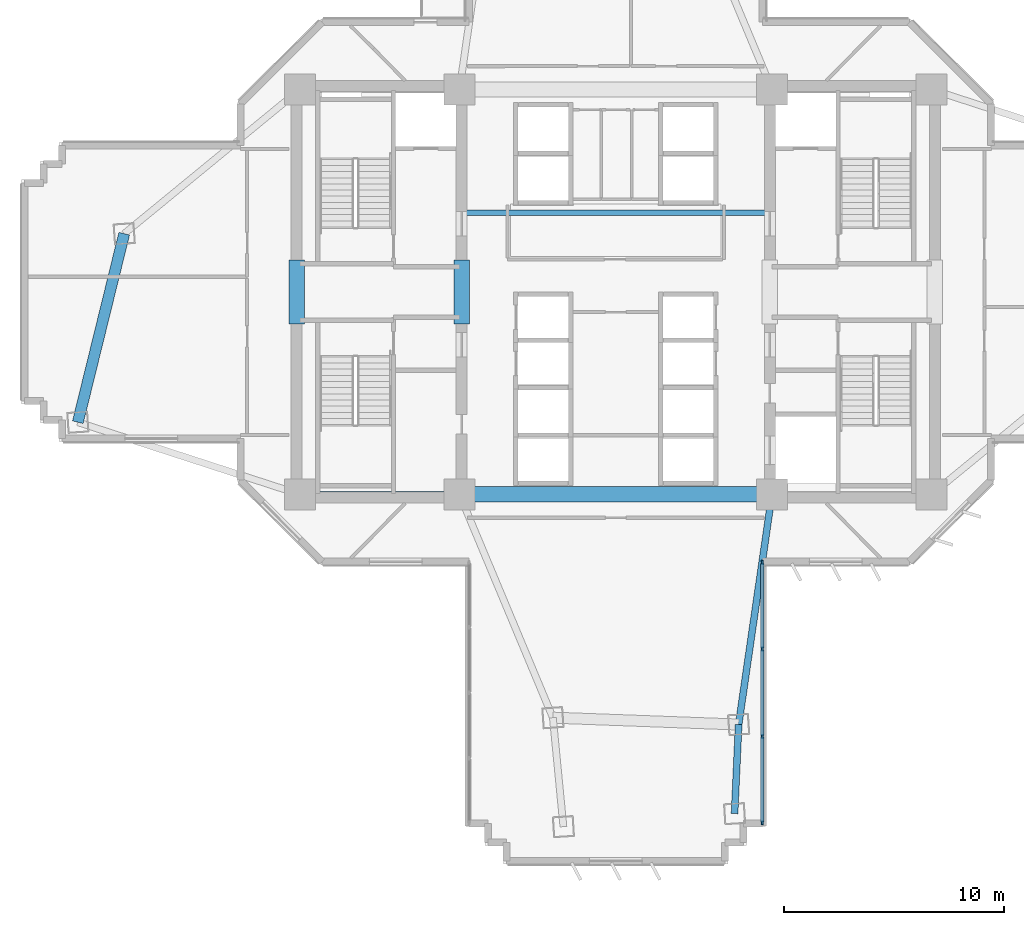
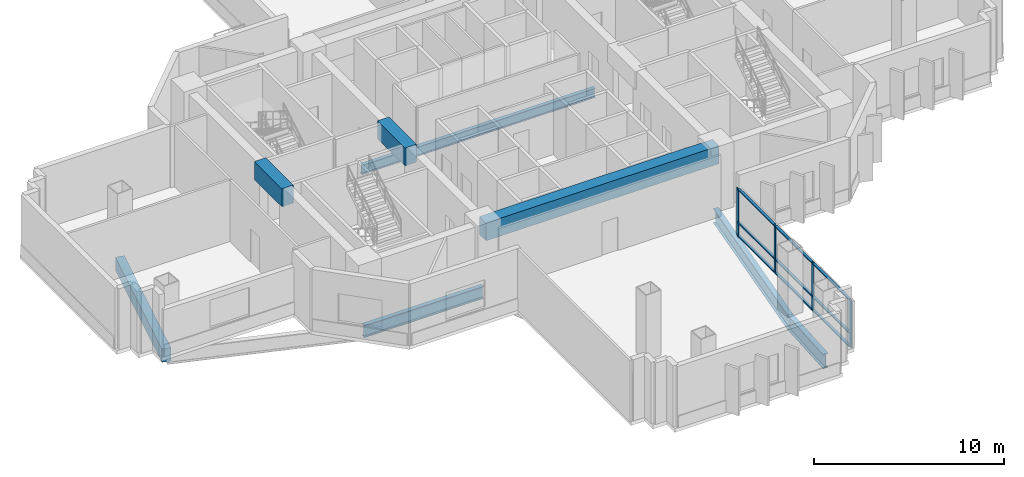
# One storey, part 3 of 14: 13 members, 8 beams, 1 element without a shape of its own.
"""IFC4 building model written with IfcOpenShell, lengths in metres."""

from ifc_helpers import new_model, si_unit, direction, frame, origin, origin_2d, place, context, subcontext, project, spatial, rectangle, i_section, extrude, source, transform, mapped, material, layer, layer_set, material_profile, profile_set, type_object, element, aggregate, save


model = new_model("IFC4")

# Units and contexts
model_context = context("Model", 3, precision=1e-05, world=origin(), true_north=direction((0.0, 1.0)))
body_context = subcontext(model_context, "Body", "Model", "MODEL_VIEW")
ifc_project = project(units=[si_unit("LENGTHUNIT", "METRE"), si_unit("AREAUNIT", "SQUARE_METRE"), si_unit("VOLUMEUNIT", "CUBIC_METRE"), si_unit("PLANEANGLEUNIT", "RADIAN"), si_unit("MASSUNIT", "GRAM", prefix="KILO")], contexts=[model_context])

# Site, building, storey
site_placement = place(None, origin())
site = spatial("IfcSite", under=ifc_project, at=site_placement, CompositionType="ELEMENT")
building_placement = place(site_placement, origin())
building = spatial("IfcBuilding", under=site, at=building_placement, Name="Zahravan Cultural Tower", CompositionType="ELEMENT")
storey_placement = place(building_placement, frame((0.0, 0.0, 33.300048828125)))
storey = spatial("IfcBuildingStorey", under=building, at=storey_placement, Name="L06", CompositionType="ELEMENT", Elevation=33.300048828125)

# Beams
ifc_material_1 = material(Name="Concrete C50/60", Category="concrete")
ifc_material_profile_1 = material_profile(ifc_material_1, rectangle(XDim=0.699951171875, YDim=1.14990234375, at=origin_2d()), Name="RC700X1150")
ifc_profile_set_1 = profile_set([ifc_material_profile_1], Name="Concrete C50/60")
beam_type_1 = type_object("IfcBeamType", Name="BM-LN-RC700X1150", PredefinedType="LINTEL", material=ifc_profile_set_1)
shared_shape_1 = source(origin(), body_context, "Body", "SweptSolid", [
    extrude(rectangle(XDim=0.699951171875, YDim=1.14990234375, at=origin_2d()), origin(), (0.0, 0.0, 1.0), 14.2001953125),
])
beam_1_placement = place(storey_placement, frame((28.89990234375, 17.800048828125, 3.375), z_axis=(1.0, 0.0, 0.0), x_axis=(0.0, 1.0, 0.0)))
element("IfcBeam", 1, at=beam_1_placement, inside=storey, type_object=beam_type_1, Name="L06 Beam LN-L06-S", PredefinedType="LINTEL", context=body_context, shape_type="MappedRepresentation", body=[
    mapped(shared_shape_1, transform((0.0, 0.0, 0.0), x_axis=(1.0, 0.0, 0.0), y_axis=(0.0, 1.0, 0.0), z_axis=(0.0, 0.0, 1.0), scale=1.0)),
])
shared_shape_2 = source(origin(), body_context, "Body", "SweptSolid", [
    extrude(rectangle(XDim=0.699951171875, YDim=1.14990234375, at=origin_2d()), origin(), (0.0, 0.0, 1.0), 2.89990234375),
])
for number, where, z_axis, x_axis, name in (
    (2, (21.5, 25.550048828125, 3.375), (0.0, 1.0, 0.0), (-1.0, 0.0, 0.0), "L06 Beam LN-L06-PWW"),
    (3, (29.0, 25.550048828125, 3.375), (0.0, 1.0, 0.0), (-1.0, 0.0, 0.0), "L06 Beam LN-L06-PWE"),
):
    element("IfcBeam", number, at=place(storey_placement, frame(where, z_axis=z_axis, x_axis=x_axis)), inside=storey, type_object=beam_type_1, Name=name, PredefinedType="LINTEL", context=body_context, shape_type="MappedRepresentation", body=[
        mapped(shared_shape_2, transform((0.0, 0.0, 0.0), x_axis=(1.0, 0.0, 0.0), y_axis=(0.0, 1.0, 0.0), z_axis=(0.0, 0.0, 1.0), scale=1.0)),
    ])
ifc_material_2 = material(Name="Steel ASTM A992 Grade 50", Category="steel")
ifc_material_profile_2 = material_profile(ifc_material_2, i_section(OverallWidth=0.26611328125, OverallDepth=0.780029296875, WebThickness=0.0166015625, FlangeThickness=0.030029296875, FilletRadius=0.01904296875, at=origin_2d()), Name="W30X148")
ifc_profile_set_2 = profile_set([ifc_material_profile_2], Name="Steel ASTM A992 Grade 50")
beam_type_2 = type_object("IfcBeamType", Name="BM-G-W30X148", PredefinedType="BEAM", material=ifc_profile_set_2)
shared_shape_3 = source(origin(), body_context, "Body", "SweptSolid", [
    extrude(i_section(OverallWidth=0.26611328125, OverallDepth=0.780029296875, WebThickness=0.0166015625, FlangeThickness=0.030029296875, FilletRadius=0.01904296875, at=origin_2d()), origin(), (0.0, 0.0, 1.0), 7.25),
])
beam_2_placement = place(storey_placement, frame((21.64990234375, 17.800048828125, -0.64013671875), z_axis=(1.0, 0.0, 0.0), x_axis=(0.0, 1.0, 0.0)))
element("IfcBeam", 4, at=beam_2_placement, inside=storey, type_object=beam_type_2, Name="L06 Beam BG-L06-01", PredefinedType="BEAM", context=body_context, shape_type="MappedRepresentation", body=[
    mapped(shared_shape_3, transform((0.0, 0.0, 0.0), x_axis=(1.0, 0.0, 0.0), y_axis=(0.0, 1.0, 0.0), z_axis=(0.0, 0.0, 1.0), scale=1.0)),
])
ifc_material_profile_3 = material_profile(ifc_material_2, i_section(OverallWidth=0.30908203125, OverallDepth=0.931884765625, WebThickness=0.02099609375, FlangeThickness=0.034423828125, FilletRadius=0.02392578125, at=origin_2d()), Name="W36X210")
ifc_profile_set_3 = profile_set([ifc_material_profile_3], Name="Steel ASTM A992 Grade 50")
beam_type_3 = type_object("IfcBeamType", Name="BM-G-W36X210", PredefinedType="BEAM", material=ifc_profile_set_3)
shared_shape_4 = source(origin(), body_context, "Body", "SweptSolid", [
    extrude(i_section(OverallWidth=0.30908203125, OverallDepth=0.931884765625, WebThickness=0.02099609375, FlangeThickness=0.034423828125, FilletRadius=0.02392578125, at=origin_2d()), origin(), (0.0, 0.0, 1.0), 10.5673828125),
])
beam_3_placement = place(storey_placement, frame((43.10009765625, 17.800048828125, -0.716064453125), z_axis=(-0.143377913539, -0.989668011966, 0.0), x_axis=(0.989668011966, -0.143377913539, 0.0)))
element("IfcBeam", 5, at=beam_3_placement, inside=storey, type_object=beam_type_3, Name="L06 Beam BG-L06-09", PredefinedType="BEAM", context=body_context, shape_type="MappedRepresentation", body=[
    mapped(shared_shape_4, transform((0.0, 0.0, 0.0), x_axis=(1.0, 0.0, 0.0), y_axis=(0.0, 1.0, 0.0), z_axis=(0.0, 0.0, 1.0), scale=1.0)),
])
shared_shape_5 = source(origin(), body_context, "Body", "SweptSolid", [
    extrude(i_section(OverallWidth=0.30908203125, OverallDepth=0.931884765625, WebThickness=0.02099609375, FlangeThickness=0.034423828125, FilletRadius=0.02392578125, at=origin_2d()), origin(), (0.0, 0.0, 1.0), 4.0537109375),
])
beam_4_placement = place(storey_placement, frame((41.5849609375, 7.341796875, -0.716064453125), z_axis=(-0.045770994677, -0.998951958828, 0.0), x_axis=(0.998951958828, -0.045770994677, 0.0)))
element("IfcBeam", 6, at=beam_4_placement, inside=storey, type_object=beam_type_3, Name="L06 Beam BG-L06-18", PredefinedType="BEAM", context=body_context, shape_type="MappedRepresentation", body=[
    mapped(shared_shape_5, transform((0.0, 0.0, 0.0), x_axis=(1.0, 0.0, 0.0), y_axis=(0.0, 1.0, 0.0), z_axis=(0.0, 0.0, 1.0), scale=1.0)),
])
ifc_material_profile_4 = material_profile(ifc_material_1, rectangle(XDim=0.5, YDim=0.85009765625, at=origin_2d()), Name="RC500X850")
ifc_profile_set_4 = profile_set([ifc_material_profile_4], Name="Concrete C50/60")
beam_type_4 = type_object("IfcBeamType", Name="BM-SP-RC500X850", PredefinedType="SPANDREL", material=ifc_profile_set_4)
shared_shape_6 = source(origin(), body_context, "Body", "SweptSolid", [
    extrude(rectangle(XDim=0.5, YDim=0.85009765625, at=origin_2d()), origin(), (0.0, 0.0, 1.0), 8.8232421875),
])
beam_5_placement = place(storey_placement, frame((13.660888671875, 29.648193359375, -0.675048828125), z_axis=(-0.238848860516, -0.971056755206, 0.0), x_axis=(0.971056755206, -0.238848860516, 0.0)))
element("IfcBeam", 7, at=beam_5_placement, inside=storey, type_object=beam_type_4, Name="L06 Beam SP-L06-22", PredefinedType="SPANDREL", context=body_context, shape_type="MappedRepresentation", body=[
    mapped(shared_shape_6, transform((0.0, 0.0, 0.0), x_axis=(1.0, 0.0, 0.0), y_axis=(0.0, 1.0, 0.0), z_axis=(0.0, 0.0, 1.0), scale=1.0)),
])
ifc_material_profile_5 = material_profile(ifc_material_2, i_section(OverallWidth=0.22802734375, OverallDepth=0.60302734375, WebThickness=0.010498046875, FlangeThickness=0.014892578125, FilletRadius=0.014892578125, at=origin_2d()), Name="W24X68")
ifc_profile_set_5 = profile_set([ifc_material_profile_5], Name="Steel ASTM A992 Grade 50")
beam_type_5 = type_object("IfcBeamType", Name="BM-J-W24X68", PredefinedType="JOIST", material=ifc_profile_set_5)
shared_shape_7 = source(origin(), body_context, "Body", "SweptSolid", [
    extrude(i_section(OverallWidth=0.22802734375, OverallDepth=0.60302734375, WebThickness=0.010498046875, FlangeThickness=0.014892578125, FilletRadius=0.014892578125, at=origin_2d()), origin(), (0.0, 0.0, 1.0), 14.2001953125),
])
beam_6_placement = place(storey_placement, frame((28.89990234375, 30.60009765625, -0.551513671875), z_axis=(1.0, 0.0, 0.0), x_axis=(0.0, 1.0, 0.0)))
element("IfcBeam", 8, at=beam_6_placement, inside=storey, type_object=beam_type_5, Name="L06 Beam BJ-L06-23", PredefinedType="JOIST", context=body_context, shape_type="MappedRepresentation", body=[
    mapped(shared_shape_7, transform((0.0, 0.0, 0.0), x_axis=(1.0, 0.0, 0.0), y_axis=(0.0, 1.0, 0.0), z_axis=(0.0, 0.0, 1.0), scale=1.0)),
])

# Curtain wall, members
ifc_material_3 = material(Name="Anodised bronze-aluminium mullion", Category="aluminium")
ifc_layer = layer(ifc_material_3, 0.199951171875)
ifc_layer_set = layer_set([ifc_layer], Name="Anodised bronze-aluminium mullion")
curtain_wall_type = type_object("IfcCurtainWallType", Name="CW-SYS-2", PredefinedType="USERDEFINED", material=ifc_layer_set)
curtain_wall_placement = place(storey_placement, origin())
curtain_wall = element("IfcCurtainWall", 9, at=curtain_wall_placement, inside=storey, type_object=curtain_wall_type, Name="L06 Recessed Curtain Wall CW-2.1", ObjectType="RECESSED GLAZING", PredefinedType="USERDEFINED")
ifc_material_profile_6 = material_profile(ifc_material_3, rectangle(XDim=0.14990234375, YDim=0.074951171875, at=origin_2d()), Name="AL-T75X150")
ifc_profile_set_6 = profile_set([ifc_material_profile_6], Name="Anodised bronze-aluminium mullion")
member_type_1 = type_object("IfcMemberType", Name="CWT-CW-2", PredefinedType="USERDEFINED", material=ifc_profile_set_6)
shared_shape_8 = source(origin(), body_context, "Body", "SweptSolid", [
    extrude(rectangle(XDim=0.14990234375, YDim=0.074951171875, at=origin_2d()), origin(), (0.0, 0.0, 1.0), 3.854248046875),
])
member_1_placement = place(storey_placement, frame((42.659912109375, 14.6650390625, 0.037353515625), z_axis=(0.0, -1.0, 0.0), x_axis=(1.0, 0.0, 0.0)))
member_1 = element("IfcMember", 10, at=member_1_placement, type_object=member_type_1, Name="CW-2 transom 1.1", ObjectType="TRANSOM", PredefinedType="USERDEFINED", context=body_context, shape_type="MappedRepresentation", body=[
    mapped(shared_shape_8, transform((0.0, 0.0, 0.0), x_axis=(1.0, 0.0, 0.0), y_axis=(0.0, 1.0, 0.0), z_axis=(0.0, 0.0, 1.0), scale=1.0)),
])
member_2_placement = place(storey_placement, frame((42.659912109375, 14.6650390625, 0.89990234375), z_axis=(0.0, -1.0, 0.0), x_axis=(1.0, 0.0, 0.0)))
member_2 = element("IfcMember", 11, at=member_2_placement, type_object=member_type_1, Name="CW-2 transom 1.2", ObjectType="TRANSOM", PredefinedType="USERDEFINED", context=body_context, shape_type="MappedRepresentation", body=[
    mapped(shared_shape_8, transform((0.0, 0.0, 0.0), x_axis=(1.0, 0.0, 0.0), y_axis=(0.0, 1.0, 0.0), z_axis=(0.0, 0.0, 1.0), scale=1.0)),
])
member_3_placement = place(storey_placement, frame((42.659912109375, 14.6650390625, 3.032470703125), z_axis=(0.0, -1.0, 0.0), x_axis=(1.0, 0.0, 0.0)))
member_3 = element("IfcMember", 12, at=member_3_placement, type_object=member_type_1, Name="CW-2 transom 1.3", ObjectType="TRANSOM", PredefinedType="USERDEFINED", context=body_context, shape_type="MappedRepresentation", body=[
    mapped(shared_shape_8, transform((0.0, 0.0, 0.0), x_axis=(1.0, 0.0, 0.0), y_axis=(0.0, 1.0, 0.0), z_axis=(0.0, 0.0, 1.0), scale=1.0)),
])
member_4_placement = place(storey_placement, frame((42.659912109375, 6.769287109375, 0.037353515625), z_axis=(0.0, -1.0, 0.0), x_axis=(1.0, 0.0, 0.0)))
member_4 = element("IfcMember", 13, at=member_4_placement, type_object=member_type_1, Name="CW-2 transom 3.1", ObjectType="TRANSOM", PredefinedType="USERDEFINED", context=body_context, shape_type="MappedRepresentation", body=[
    mapped(shared_shape_8, transform((0.0, 0.0, 0.0), x_axis=(1.0, 0.0, 0.0), y_axis=(0.0, 1.0, 0.0), z_axis=(0.0, 0.0, 1.0), scale=1.0)),
])
member_5_placement = place(storey_placement, frame((42.659912109375, 6.769287109375, 0.89990234375), z_axis=(0.0, -1.0, 0.0), x_axis=(1.0, 0.0, 0.0)))
member_5 = element("IfcMember", 14, at=member_5_placement, type_object=member_type_1, Name="CW-2 transom 3.2", ObjectType="TRANSOM", PredefinedType="USERDEFINED", context=body_context, shape_type="MappedRepresentation", body=[
    mapped(shared_shape_8, transform((0.0, 0.0, 0.0), x_axis=(1.0, 0.0, 0.0), y_axis=(0.0, 1.0, 0.0), z_axis=(0.0, 0.0, 1.0), scale=1.0)),
])
member_6_placement = place(storey_placement, frame((42.659912109375, 6.769287109375, 3.032470703125), z_axis=(0.0, -1.0, 0.0), x_axis=(1.0, 0.0, 0.0)))
member_6 = element("IfcMember", 15, at=member_6_placement, type_object=member_type_1, Name="CW-2 transom 3.3", ObjectType="TRANSOM", PredefinedType="USERDEFINED", context=body_context, shape_type="MappedRepresentation", body=[
    mapped(shared_shape_8, transform((0.0, 0.0, 0.0), x_axis=(1.0, 0.0, 0.0), y_axis=(0.0, 1.0, 0.0), z_axis=(0.0, 0.0, 1.0), scale=1.0)),
])
shared_shape_9 = source(origin(), body_context, "Body", "SweptSolid", [
    extrude(rectangle(XDim=0.14990234375, YDim=0.074951171875, at=origin_2d()), origin(), (0.0, 0.0, 1.0), 3.8916015625),
])
member_7_placement = place(storey_placement, frame((42.659912109375, 10.73583984375, 0.037353515625), z_axis=(0.0, -1.0, 0.0), x_axis=(1.0, 0.0, 0.0)))
member_7 = element("IfcMember", 16, at=member_7_placement, type_object=member_type_1, Name="CW-2 transom 2.1", ObjectType="TRANSOM", PredefinedType="USERDEFINED", context=body_context, shape_type="MappedRepresentation", body=[
    mapped(shared_shape_9, transform((0.0, 0.0, 0.0), x_axis=(1.0, 0.0, 0.0), y_axis=(0.0, 1.0, 0.0), z_axis=(0.0, 0.0, 1.0), scale=1.0)),
])
member_8_placement = place(storey_placement, frame((42.659912109375, 10.73583984375, 0.89990234375), z_axis=(0.0, -1.0, 0.0), x_axis=(1.0, 0.0, 0.0)))
member_8 = element("IfcMember", 17, at=member_8_placement, type_object=member_type_1, Name="CW-2 transom 2.2", ObjectType="TRANSOM", PredefinedType="USERDEFINED", context=body_context, shape_type="MappedRepresentation", body=[
    mapped(shared_shape_9, transform((0.0, 0.0, 0.0), x_axis=(1.0, 0.0, 0.0), y_axis=(0.0, 1.0, 0.0), z_axis=(0.0, 0.0, 1.0), scale=1.0)),
])
member_9_placement = place(storey_placement, frame((42.659912109375, 10.73583984375, 3.032470703125), z_axis=(0.0, -1.0, 0.0), x_axis=(1.0, 0.0, 0.0)))
member_9 = element("IfcMember", 18, at=member_9_placement, type_object=member_type_1, Name="CW-2 transom 2.3", ObjectType="TRANSOM", PredefinedType="USERDEFINED", context=body_context, shape_type="MappedRepresentation", body=[
    mapped(shared_shape_9, transform((0.0, 0.0, 0.0), x_axis=(1.0, 0.0, 0.0), y_axis=(0.0, 1.0, 0.0), z_axis=(0.0, 0.0, 1.0), scale=1.0)),
])
ifc_material_profile_7 = material_profile(ifc_material_3, rectangle(XDim=0.074951171875, YDim=0.199951171875, at=origin_2d()), Name="AL-M75X200")
ifc_profile_set_7 = profile_set([ifc_material_profile_7], Name="Anodised bronze-aluminium mullion")
member_type_2 = type_object("IfcMemberType", Name="CWM-CW-2", PredefinedType="MULLION", material=ifc_profile_set_7)
shared_shape_10 = source(origin(), body_context, "Body", "SweptSolid", [
    extrude(rectangle(XDim=0.074951171875, YDim=0.199951171875, at=origin_2d()), origin(), (0.0, 0.0, 1.0), 3.070068359375),
])
member_10_placement = place(storey_placement, frame((42.659912109375, 14.702392578125, 0.0), z_axis=(0.0, 0.0, 1.0), x_axis=(1.0, 0.0, 0.0)))
member_10 = element("IfcMember", 19, at=member_10_placement, type_object=member_type_2, Name="CW-2 mullion 1", PredefinedType="MULLION", context=body_context, shape_type="MappedRepresentation", body=[
    mapped(shared_shape_10, transform((0.0, 0.0, 0.0), x_axis=(1.0, 0.0, 0.0), y_axis=(0.0, 1.0, 0.0), z_axis=(0.0, 0.0, 1.0), scale=1.0)),
])
member_11_placement = place(storey_placement, frame((42.659912109375, 10.7734375, 0.0), z_axis=(0.0, 0.0, 1.0), x_axis=(1.0, 0.0, 0.0)))
member_11 = element("IfcMember", 20, at=member_11_placement, type_object=member_type_2, Name="CW-2 mullion 2", PredefinedType="MULLION", context=body_context, shape_type="MappedRepresentation", body=[
    mapped(shared_shape_10, transform((0.0, 0.0, 0.0), x_axis=(1.0, 0.0, 0.0), y_axis=(0.0, 1.0, 0.0), z_axis=(0.0, 0.0, 1.0), scale=1.0)),
])
member_12_placement = place(storey_placement, frame((42.659912109375, 6.806640625, 0.0), z_axis=(0.0, 0.0, 1.0), x_axis=(1.0, 0.0, 0.0)))
member_12 = element("IfcMember", 21, at=member_12_placement, type_object=member_type_2, Name="CW-2 mullion 3", PredefinedType="MULLION", context=body_context, shape_type="MappedRepresentation", body=[
    mapped(shared_shape_10, transform((0.0, 0.0, 0.0), x_axis=(1.0, 0.0, 0.0), y_axis=(0.0, 1.0, 0.0), z_axis=(0.0, 0.0, 1.0), scale=1.0)),
])
member_13_placement = place(storey_placement, frame((42.659912109375, 2.87744140625, 0.0), z_axis=(0.0, 0.0, 1.0), x_axis=(1.0, 0.0, 0.0)))
member_13 = element("IfcMember", 22, at=member_13_placement, type_object=member_type_2, Name="CW-2 mullion 4", PredefinedType="MULLION", context=body_context, shape_type="MappedRepresentation", body=[
    mapped(shared_shape_10, transform((0.0, 0.0, 0.0), x_axis=(1.0, 0.0, 0.0), y_axis=(0.0, 1.0, 0.0), z_axis=(0.0, 0.0, 1.0), scale=1.0)),
])
aggregate(curtain_wall, [member_10, member_11, member_12, member_13, member_1, member_2, member_3, member_7, member_8, member_9, member_4, member_5, member_6])

save(model, "model.ifc")
